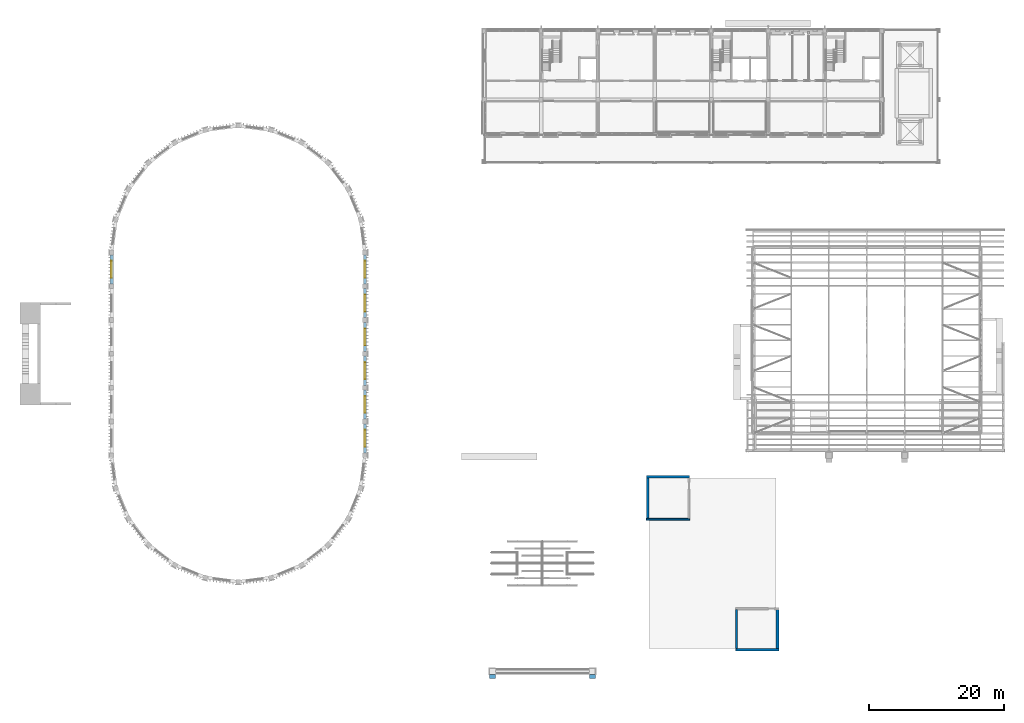
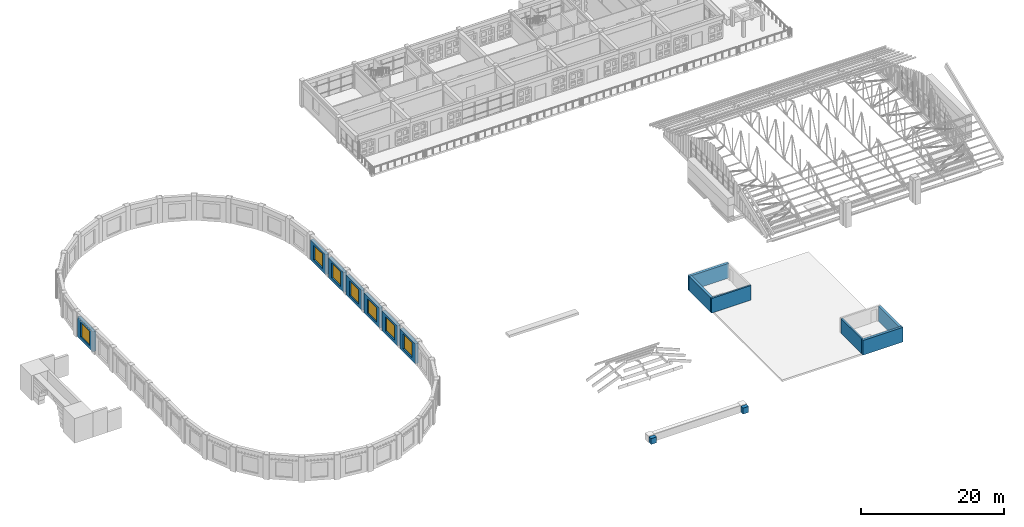
# One storey, part 39 of 71: 15 walls, 7 windows, 7 openings.
"""IFC4 building model written with IfcOpenShell, lengths in metres."""

from ifc_helpers import new_model, si_unit, direction, frame, frame_2d, origin, place, context, subcontext, project, spatial, rectangle, extrude, material, layer, layer_set, type_object, element, fill, save


model = new_model("IFC4")

# Units and contexts
model_context = context("Model", 3, precision=1e-05, world=origin(), true_north=direction((0.0, 1.0)))
body_context = subcontext(model_context, "Body", "Model", "MODEL_VIEW")
ifc_project = project(units=[si_unit("LENGTHUNIT", "METRE"), si_unit("AREAUNIT", "SQUARE_METRE"), si_unit("VOLUMEUNIT", "CUBIC_METRE"), si_unit("PLANEANGLEUNIT", "RADIAN"), si_unit("MASSUNIT", "GRAM", prefix="KILO")], contexts=[model_context])

# Site, building, storey
site_placement = place(None, origin())
site = spatial("IfcSite", under=ifc_project, at=site_placement, CompositionType="ELEMENT")
building_placement = place(site_placement, origin())
building = spatial("IfcBuilding", under=site, at=building_placement, Name="Wasatch Bagh Community Centre", CompositionType="ELEMENT")
storey_placement = place(building_placement, frame((0.0, 0.0, 12.60009765625)))
storey = spatial("IfcBuildingStorey", under=building, at=storey_placement, Name="L03", CompositionType="ELEMENT", Elevation=12.60009765625)

# Walls
ifc_material_1 = material(Name="Concrete C40", Category="concrete")
ifc_layer_1 = layer(ifc_material_1, 0.60009765625)
ifc_layer_set_1 = layer_set([ifc_layer_1], Name="Concrete C40")
wall_type_1 = type_object("IfcWallType", Name="CL-W4", PredefinedType="STANDARD", material=ifc_layer_set_1)
for number, where, z_axis, x_axis, name in (
    (1, (73.14990234375, 2.25, 0.0), (0.0, 0.0, 1.0), (1.0, 0.0, 0.0), "CL-W4 pier buttress DHP2"),
    (2, (87.949951171875, 2.25, 0.0), (0.0, 0.0, 1.0), (1.0, 0.0, 0.0), "CL-W4 pier buttress DHP3"),
):
    element("IfcWall", number, at=place(storey_placement, frame(where, z_axis=z_axis, x_axis=x_axis)), inside=storey, type_object=wall_type_1, Name=name, PredefinedType="STANDARD", context=body_context, shape_type="SweptSolid", body=[
        extrude(rectangle(XDim=0.900146484375, YDim=0.60009765625, at=frame_2d((0.4501953125, 0.0))), origin(), (0.0, 0.0, 1.0), 1.0),
    ])
ifc_layer_2 = layer(ifc_material_1, 0.25)
ifc_layer_set_2 = layer_set([ifc_layer_2], Name="Concrete C40")
wall_type_2 = type_object("IfcWallType", Name="KW RC WALL 250 shear", PredefinedType="SHEAR", material=ifc_layer_set_2)
wall_1_placement = place(storey_placement, frame((96.39990234375, 25.52490234375, 0.0), z_axis=(0.0, 0.0, 1.0), x_axis=(1.0, 0.0, 0.0)))
element("IfcWall", 3, at=wall_1_placement, inside=storey, type_object=wall_type_2, Name="KW.head.ST4.S", PredefinedType="SHEAR", context=body_context, shape_type="SweptSolid", body=[
    extrude(rectangle(XDim=6.400146484375, YDim=0.25, at=frame_2d((3.2001953125, 0.0))), origin(), (0.0, 0.0, 1.0), 2.5),
])
wall_2_placement = place(storey_placement, frame((109.72509765625, 6.39990234375, 0.0), z_axis=(0.0, 0.0, 1.0), x_axis=(0.0, 1.0, 0.0)))
element("IfcWall", 4, at=wall_2_placement, inside=storey, type_object=wall_type_2, Name="KW.head.ST5.W", PredefinedType="SHEAR", context=body_context, shape_type="SweptSolid", body=[
    extrude(rectangle(XDim=5.75, YDim=0.25, at=frame_2d((2.875, 0.0))), origin(), (0.0, 0.0, 1.0), 2.5),
])
ifc_layer_3 = layer(ifc_material_1, 0.39990234375)
ifc_layer_set_3 = layer_set([ifc_layer_3], Name="Concrete C40")
wall_type_3 = type_object("IfcWallType", Name="KW RC WALL 400 solidwall", PredefinedType="SOLIDWALL", material=ifc_layer_set_3)
wall_3_placement = place(storey_placement, frame((96.39990234375, 31.800048828125, 0.0), z_axis=(0.0, 0.0, 1.0), x_axis=(1.0, 0.0, 0.0)))
element("IfcWall", 5, at=wall_3_placement, inside=storey, type_object=wall_type_3, Name="KW.head.ST4.N", PredefinedType="SOLIDWALL", context=body_context, shape_type="SweptSolid", body=[
    extrude(rectangle(XDim=6.400146484375, YDim=0.39990234375, at=frame_2d((3.2001953125, 0.0))), origin(), (0.0, 0.0, 1.0), 2.5),
])
wall_4_placement = place(storey_placement, frame((96.60009765625, 25.64990234375, 0.0), z_axis=(0.0, 0.0, 1.0), x_axis=(0.0, 1.0, 0.0)))
element("IfcWall", 6, at=wall_4_placement, inside=storey, type_object=wall_type_3, Name="KW.head.ST4.W", PredefinedType="SOLIDWALL", context=body_context, shape_type="SweptSolid", body=[
    extrude(rectangle(XDim=5.9501953125, YDim=0.39990234375, at=frame_2d((2.97509765625, 0.0))), origin(), (0.0, 0.0, 1.0), 2.5),
])
wall_5_placement = place(storey_placement, frame((109.60009765625, 6.199951171875, 0.0), z_axis=(0.0, 0.0, 1.0), x_axis=(1.0, 0.0, 0.0)))
element("IfcWall", 7, at=wall_5_placement, inside=storey, type_object=wall_type_3, Name="KW.head.ST5.S", PredefinedType="SOLIDWALL", context=body_context, shape_type="SweptSolid", body=[
    extrude(rectangle(XDim=6.39990234375, YDim=0.39990234375, at=frame_2d((3.199951171875, 0.0))), origin(), (0.0, 0.0, 1.0), 2.5),
])
wall_6_placement = place(storey_placement, frame((115.800048828125, 6.39990234375, 0.0), z_axis=(0.0, 0.0, 1.0), x_axis=(0.0, 1.0, 0.0)))
element("IfcWall", 8, at=wall_6_placement, inside=storey, type_object=wall_type_3, Name="KW.head.ST5.E", PredefinedType="SOLIDWALL", context=body_context, shape_type="SweptSolid", body=[
    extrude(rectangle(XDim=5.75, YDim=0.39990234375, at=frame_2d((2.875, 0.0))), origin(), (0.0, 0.0, 1.0), 2.5),
])

# Wall, opening, window
ifc_layer_4 = layer(ifc_material_1, 0.5)
ifc_layer_set_4 = layer_set([ifc_layer_4], Name="Concrete C40")
wall_type_4 = type_object("IfcWallType", Name="MH wall RC WALL 500", PredefinedType="SHEAR", material=ifc_layer_set_4)
wall_7_placement = place(storey_placement, frame((54.75, 35.3505859375, 0.0), z_axis=(0.0, 0.0, 1.0), x_axis=(0.0, 1.0, 0.0)))
wall_7 = element("IfcWall", 9, at=wall_7_placement, inside=storey, type_object=wall_type_4, Name="Capsule wall 13", PredefinedType="SHEAR", context=body_context, shape_type="SweptSolid", body=[
    extrude(rectangle(XDim=4.298828125, YDim=0.5, at=frame_2d((2.1494140625, 0.0))), origin(), (0.0, 0.0, 1.0), 3.39990234375),
])
opening_1_placement = place(wall_7_placement, frame((0.8994140625, 0.0, 0.5)))
opening_1 = element("IfcOpeningElement", 10, at=opening_1_placement, cuts=wall_7, Name="Opening 0M-W13", PredefinedType="OPENING", context=body_context, shape_type="SweptSolid", body=[
    extrude(rectangle(XDim=2.5, YDim=2.5, at=frame_2d((1.25, 1.25))), frame((0.0, 0.260009765625, 0.0), z_axis=(0.0, -1.0, 0.0), x_axis=(1.0, 0.0, 0.0)), (0.0, 0.0, 1.0), 0.52001953125),
])
ifc_material_2 = material(Name="Aluminium frame with low-iron insulated glass", Category="aluminium")
window_type = type_object("IfcWindowType", Name="MH clerestory window W4", PartitioningType="SINGLE_PANEL", PredefinedType="WINDOW", material=ifc_material_2)
window_1_placement = place(opening_1_placement, origin())
window_1 = element("IfcWindow", 11, at=window_1_placement, inside=storey, type_object=window_type, Name="Window 0M-W13", OverallHeight=2.5, OverallWidth=2.5, PartitioningType="SINGLE_PANEL", PredefinedType="WINDOW", context=body_context, shape_type="SweptSolid", body=[
    extrude(rectangle(XDim=2.5, YDim=2.5, at=frame_2d((1.25, 1.25))), frame((0.0, 0.030029296875, 0.0), z_axis=(0.0, -1.0, 0.0), x_axis=(1.0, 0.0, 0.0)), (0.0, 0.0, 1.0), 0.06005859375),
])
fill(opening_1, window_1)

wall_8_placement = place(storey_placement, frame((54.75, 40.3505859375, 0.0), z_axis=(0.0, 0.0, 1.0), x_axis=(0.0, 1.0, 0.0)))
wall_8 = element("IfcWall", 12, at=wall_8_placement, inside=storey, type_object=wall_type_4, Name="Capsule wall 14", PredefinedType="SHEAR", context=body_context, shape_type="SweptSolid", body=[
    extrude(rectangle(XDim=4.298828125, YDim=0.5, at=frame_2d((2.1494140625, 0.0))), origin(), (0.0, 0.0, 1.0), 3.39990234375),
])
opening_2_placement = place(wall_8_placement, frame((0.8994140625, 0.0, 0.5)))
opening_2 = element("IfcOpeningElement", 13, at=opening_2_placement, cuts=wall_8, Name="Opening 0M-W14", PredefinedType="OPENING", context=body_context, shape_type="SweptSolid", body=[
    extrude(rectangle(XDim=2.5, YDim=2.5, at=frame_2d((1.25, 1.25))), frame((0.0, 0.260009765625, 0.0), z_axis=(0.0, -1.0, 0.0), x_axis=(1.0, 0.0, 0.0)), (0.0, 0.0, 1.0), 0.52001953125),
])
window_2_placement = place(opening_2_placement, origin())
window_2 = element("IfcWindow", 14, at=window_2_placement, inside=storey, type_object=window_type, Name="Window 0M-W14", OverallHeight=2.5, OverallWidth=2.5, PartitioningType="SINGLE_PANEL", PredefinedType="WINDOW", context=body_context, shape_type="SweptSolid", body=[
    extrude(rectangle(XDim=2.5, YDim=2.5, at=frame_2d((1.25, 1.25))), frame((0.0, 0.030029296875, 0.0), z_axis=(0.0, -1.0, 0.0), x_axis=(1.0, 0.0, 0.0)), (0.0, 0.0, 1.0), 0.06005859375),
])
fill(opening_2, window_2)

wall_9_placement = place(storey_placement, frame((54.75, 45.3505859375, 0.0), z_axis=(0.0, 0.0, 1.0), x_axis=(0.0, 1.0, 0.0)))
wall_9 = element("IfcWall", 15, at=wall_9_placement, inside=storey, type_object=wall_type_4, Name="Capsule wall 15", PredefinedType="SHEAR", context=body_context, shape_type="SweptSolid", body=[
    extrude(rectangle(XDim=4.298828125, YDim=0.5, at=frame_2d((2.1494140625, 0.0))), origin(), (0.0, 0.0, 1.0), 3.39990234375),
])
opening_3_placement = place(wall_9_placement, frame((0.8994140625, 0.0, 0.5)))
opening_3 = element("IfcOpeningElement", 16, at=opening_3_placement, cuts=wall_9, Name="Opening 0M-W15", PredefinedType="OPENING", context=body_context, shape_type="SweptSolid", body=[
    extrude(rectangle(XDim=2.5, YDim=2.5, at=frame_2d((1.25, 1.25))), frame((0.0, 0.260009765625, 0.0), z_axis=(0.0, -1.0, 0.0), x_axis=(1.0, 0.0, 0.0)), (0.0, 0.0, 1.0), 0.52001953125),
])
window_3_placement = place(opening_3_placement, origin())
window_3 = element("IfcWindow", 17, at=window_3_placement, inside=storey, type_object=window_type, Name="Window 0M-W15", OverallHeight=2.5, OverallWidth=2.5, PartitioningType="SINGLE_PANEL", PredefinedType="WINDOW", context=body_context, shape_type="SweptSolid", body=[
    extrude(rectangle(XDim=2.5, YDim=2.5, at=frame_2d((1.25, 1.25))), frame((0.0, 0.030029296875, 0.0), z_axis=(0.0, -1.0, 0.0), x_axis=(1.0, 0.0, 0.0)), (0.0, 0.0, 1.0), 0.06005859375),
])
fill(opening_3, window_3)

wall_10_placement = place(storey_placement, frame((54.75, 50.3505859375, 0.0), z_axis=(0.0, 0.0, 1.0), x_axis=(0.0, 1.0, 0.0)))
wall_10 = element("IfcWall", 18, at=wall_10_placement, inside=storey, type_object=wall_type_4, Name="Capsule wall 16", PredefinedType="SHEAR", context=body_context, shape_type="SweptSolid", body=[
    extrude(rectangle(XDim=4.298828125, YDim=0.5, at=frame_2d((2.1494140625, 0.0))), origin(), (0.0, 0.0, 1.0), 3.39990234375),
])
opening_4_placement = place(wall_10_placement, frame((0.8994140625, 0.0, 0.5)))
opening_4 = element("IfcOpeningElement", 19, at=opening_4_placement, cuts=wall_10, Name="Opening 0M-W16", PredefinedType="OPENING", context=body_context, shape_type="SweptSolid", body=[
    extrude(rectangle(XDim=2.5, YDim=2.5, at=frame_2d((1.25, 1.25))), frame((0.0, 0.260009765625, 0.0), z_axis=(0.0, -1.0, 0.0), x_axis=(1.0, 0.0, 0.0)), (0.0, 0.0, 1.0), 0.52001953125),
])
window_4_placement = place(opening_4_placement, origin())
window_4 = element("IfcWindow", 20, at=window_4_placement, inside=storey, type_object=window_type, Name="Window 0M-W16", OverallHeight=2.5, OverallWidth=2.5, PartitioningType="SINGLE_PANEL", PredefinedType="WINDOW", context=body_context, shape_type="SweptSolid", body=[
    extrude(rectangle(XDim=2.5, YDim=2.5, at=frame_2d((1.25, 1.25))), frame((0.0, 0.030029296875, 0.0), z_axis=(0.0, -1.0, 0.0), x_axis=(1.0, 0.0, 0.0)), (0.0, 0.0, 1.0), 0.06005859375),
])
fill(opening_4, window_4)

wall_11_placement = place(storey_placement, frame((54.75, 55.3505859375, 0.0), z_axis=(0.0, 0.0, 1.0), x_axis=(0.0, 1.0, 0.0)))
wall_11 = element("IfcWall", 21, at=wall_11_placement, inside=storey, type_object=wall_type_4, Name="Capsule wall 17", PredefinedType="SHEAR", context=body_context, shape_type="SweptSolid", body=[
    extrude(rectangle(XDim=4.298828125, YDim=0.5, at=frame_2d((2.1494140625, 0.0))), origin(), (0.0, 0.0, 1.0), 3.39990234375),
])
opening_5_placement = place(wall_11_placement, frame((0.8994140625, 0.0, 0.5)))
opening_5 = element("IfcOpeningElement", 22, at=opening_5_placement, cuts=wall_11, Name="Opening 0M-W17", PredefinedType="OPENING", context=body_context, shape_type="SweptSolid", body=[
    extrude(rectangle(XDim=2.5, YDim=2.5, at=frame_2d((1.25, 1.25))), frame((0.0, 0.260009765625, 0.0), z_axis=(0.0, -1.0, 0.0), x_axis=(1.0, 0.0, 0.0)), (0.0, 0.0, 1.0), 0.52001953125),
])
window_5_placement = place(opening_5_placement, origin())
window_5 = element("IfcWindow", 23, at=window_5_placement, inside=storey, type_object=window_type, Name="Window 0M-W17", OverallHeight=2.5, OverallWidth=2.5, PartitioningType="SINGLE_PANEL", PredefinedType="WINDOW", context=body_context, shape_type="SweptSolid", body=[
    extrude(rectangle(XDim=2.5, YDim=2.5, at=frame_2d((1.25, 1.25))), frame((0.0, 0.030029296875, 0.0), z_axis=(0.0, -1.0, 0.0), x_axis=(1.0, 0.0, 0.0)), (0.0, 0.0, 1.0), 0.06005859375),
])
fill(opening_5, window_5)

wall_12_placement = place(storey_placement, frame((54.75, 60.3505859375, 0.0), z_axis=(0.0, 0.0, 1.0), x_axis=(0.0, 1.0, 0.0)))
wall_12 = element("IfcWall", 24, at=wall_12_placement, inside=storey, type_object=wall_type_4, Name="Capsule wall 18", PredefinedType="SHEAR", context=body_context, shape_type="SweptSolid", body=[
    extrude(rectangle(XDim=4.298828125, YDim=0.5, at=frame_2d((2.1494140625, 0.0))), origin(), (0.0, 0.0, 1.0), 3.39990234375),
])
opening_6_placement = place(wall_12_placement, frame((0.8994140625, 0.0, 0.5)))
opening_6 = element("IfcOpeningElement", 25, at=opening_6_placement, cuts=wall_12, Name="Opening 0M-W18", PredefinedType="OPENING", context=body_context, shape_type="SweptSolid", body=[
    extrude(rectangle(XDim=2.5, YDim=2.5, at=frame_2d((1.25, 1.25))), frame((0.0, 0.260009765625, 0.0), z_axis=(0.0, -1.0, 0.0), x_axis=(1.0, 0.0, 0.0)), (0.0, 0.0, 1.0), 0.52001953125),
])
window_6_placement = place(opening_6_placement, origin())
window_6 = element("IfcWindow", 26, at=window_6_placement, inside=storey, type_object=window_type, Name="Window 0M-W18", OverallHeight=2.5, OverallWidth=2.5, PartitioningType="SINGLE_PANEL", PredefinedType="WINDOW", context=body_context, shape_type="SweptSolid", body=[
    extrude(rectangle(XDim=2.5, YDim=2.5, at=frame_2d((1.25, 1.25))), frame((0.0, 0.030029296875, 0.0), z_axis=(0.0, -1.0, 0.0), x_axis=(1.0, 0.0, 0.0)), (0.0, 0.0, 1.0), 0.06005859375),
])
fill(opening_6, window_6)

wall_13_placement = place(storey_placement, frame((17.25, 64.6494140625, 0.0), z_axis=(0.0, 0.0, 1.0), x_axis=(0.0, -1.0, 0.0)))
wall_13 = element("IfcWall", 27, at=wall_13_placement, inside=storey, type_object=wall_type_4, Name="Capsule wall 31", PredefinedType="SHEAR", context=body_context, shape_type="SweptSolid", body=[
    extrude(rectangle(XDim=4.298828125, YDim=0.5, at=frame_2d((2.1494140625, 0.0))), origin(), (0.0, 0.0, 1.0), 3.39990234375),
])
opening_7_placement = place(wall_13_placement, frame((0.8994140625, 0.0, 0.5)))
opening_7 = element("IfcOpeningElement", 28, at=opening_7_placement, cuts=wall_13, Name="Opening 0M-W31", PredefinedType="OPENING", context=body_context, shape_type="SweptSolid", body=[
    extrude(rectangle(XDim=2.5, YDim=2.5, at=frame_2d((1.25, 1.25))), frame((0.0, 0.260009765625, 0.0), z_axis=(0.0, -1.0, 0.0), x_axis=(1.0, 0.0, 0.0)), (0.0, 0.0, 1.0), 0.52001953125),
])
window_7_placement = place(opening_7_placement, origin())
window_7 = element("IfcWindow", 29, at=window_7_placement, inside=storey, type_object=window_type, Name="Window 0M-W31", OverallHeight=2.5, OverallWidth=2.5, PartitioningType="SINGLE_PANEL", PredefinedType="WINDOW", context=body_context, shape_type="SweptSolid", body=[
    extrude(rectangle(XDim=2.5, YDim=2.5, at=frame_2d((1.25, 1.25))), frame((0.0, 0.030029296875, 0.0), z_axis=(0.0, -1.0, 0.0), x_axis=(1.0, 0.0, 0.0)), (0.0, 0.0, 1.0), 0.06005859375),
])
fill(opening_7, window_7)

save(model, "model.ifc")
